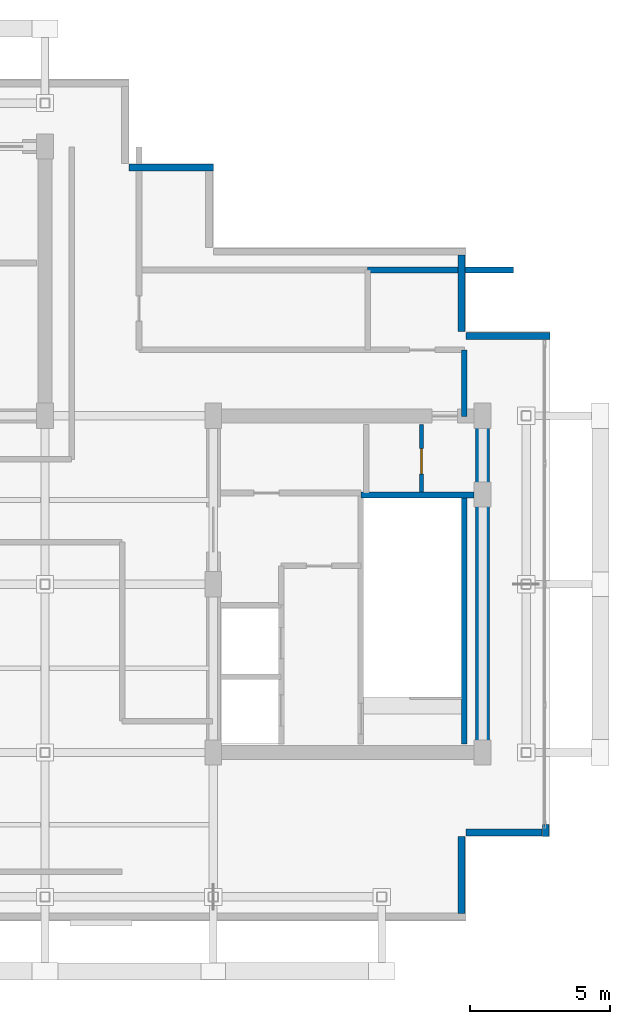
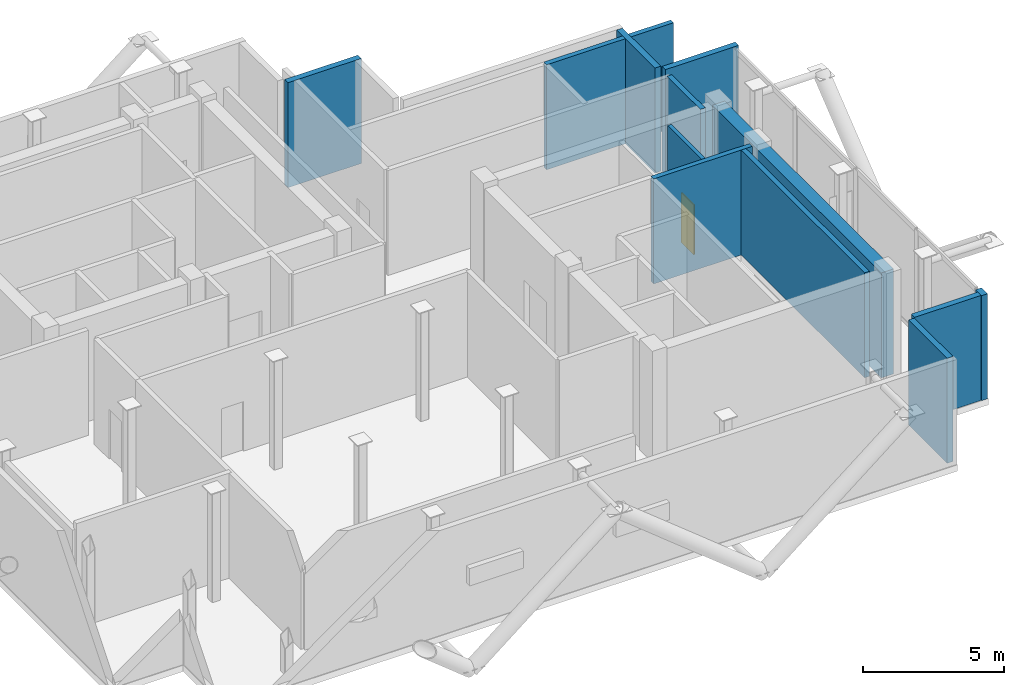
# One storey, part 5 of 6: 12 walls, 1 door, 1 opening.
"""IFC4 building model written with IfcOpenShell, lengths in metres."""

from ifc_helpers import new_model, si_unit, direction, frame, frame_2d, origin, place, context, subcontext, project, spatial, rectangle, extrude, material, layer, layer_set, type_object, element, fill, save


model = new_model("IFC4")

# Units and contexts
model_context = context("Model", 3, precision=1e-05, world=origin(), true_north=direction((0.0, 1.0)))
body_context = subcontext(model_context, "Body", "Model", "MODEL_VIEW")
ifc_project = project(units=[si_unit("LENGTHUNIT", "METRE"), si_unit("AREAUNIT", "SQUARE_METRE"), si_unit("VOLUMEUNIT", "CUBIC_METRE"), si_unit("PLANEANGLEUNIT", "RADIAN"), si_unit("MASSUNIT", "GRAM", prefix="KILO"), si_unit("THERMODYNAMICTEMPERATUREUNIT", "KELVIN"), si_unit("POWERUNIT", "WATT")], contexts=[model_context])

# Site, building, storey
site_placement = place(None, origin())
site = spatial("IfcSite", under=ifc_project, at=site_placement, CompositionType="ELEMENT")
building_placement = place(site_placement, origin())
building = spatial("IfcBuilding", under=site, at=building_placement, Name="Svarakhadi Broadcast Tower", CompositionType="ELEMENT")
storey_placement = place(building_placement, frame((0.0, 0.0, 305.699951171875)))
storey = spatial("IfcBuildingStorey", under=building, at=storey_placement, Name="L77", CompositionType="ELEMENT", Elevation=305.699951171875)

# Walls
ifc_material_1 = material(Name="Concrete C40/50 (IS 456 M50)", Category="concrete")
ifc_layer_1 = layer(ifc_material_1, 0.239990234375)
ifc_layer_set_1 = layer_set([ifc_layer_1], Name="Concrete C40/50 (IS 456 M50)")
wall_type_1 = type_object("IfcWallType", Name="Wall_Ext_240", PredefinedType="SOLIDWALL", material=ifc_layer_set_1)
wall_1_placement = place(storey_placement, frame((21.0, 26.85009765625, 0.0), z_axis=(0.0, 0.0, 1.0), x_axis=(1.0, 0.0, 0.0)))
element("IfcWall", 1, at=wall_1_placement, inside=storey, type_object=wall_type_1, Name="L77 Perimeter Bronze Spandrel Closure Wall 05", PredefinedType="SOLIDWALL", context=body_context, shape_type="SweptSolid", body=[
    extrude(rectangle(XDim=3.0, YDim=0.239990234375, at=frame_2d((1.5, 0.0))), origin(), (0.0, 0.0, 1.0), 4.550048828125),
])
wall_2_placement = place(storey_placement, frame((32.85009765625, 23.72509765625, 0.0), z_axis=(0.0, 0.0, 1.0), x_axis=(0.0, -1.0, 0.0)))
element("IfcWall", 2, at=wall_2_placement, inside=storey, type_object=wall_type_1, Name="L77 Perimeter Bronze Spandrel Closure Wall 08", PredefinedType="SOLIDWALL", context=body_context, shape_type="SweptSolid", body=[
    extrude(rectangle(XDim=2.72509765625, YDim=0.239990234375, at=frame_2d((1.362548828125, 0.0))), origin(), (0.0, 0.0, 1.0), 4.550048828125),
])
wall_3_placement = place(storey_placement, frame((33.0, 20.85009765625, 0.0), z_axis=(0.0, 0.0, 1.0), x_axis=(1.0, 0.0, 0.0)))
element("IfcWall", 3, at=wall_3_placement, inside=storey, type_object=wall_type_1, Name="L77 Perimeter Bronze Spandrel Closure Wall 09", PredefinedType="SOLIDWALL", context=body_context, shape_type="SweptSolid", body=[
    extrude(rectangle(XDim=3.0, YDim=0.239990234375, at=frame_2d((1.5, 0.0))), origin(), (0.0, 0.0, 1.0), 4.550048828125),
])
wall_4_placement = place(storey_placement, frame((35.85009765625, 3.43505859375, 0.0), z_axis=(0.0, 0.0, 1.0), x_axis=(0.0, -1.0, 0.0)))
element("IfcWall", 4, at=wall_4_placement, inside=storey, type_object=wall_type_1, Name="L77 Perimeter Bronze Spandrel Closure Wall 10", PredefinedType="SOLIDWALL", context=body_context, shape_type="SweptSolid", body=[
    extrude(rectangle(XDim=0.43505859375, YDim=0.239990234375, at=frame_2d((0.217529296875, 0.0))), origin(), (0.0, 0.0, 1.0), 4.550048828125),
])
wall_5_placement = place(storey_placement, frame((35.72509765625, 3.14990234375, 0.0), z_axis=(0.0, 0.0, 1.0), x_axis=(-1.0, 0.0, 0.0)))
element("IfcWall", 5, at=wall_5_placement, inside=storey, type_object=wall_type_1, Name="L77 Perimeter Bronze Spandrel Closure Wall 11", PredefinedType="SOLIDWALL", context=body_context, shape_type="SweptSolid", body=[
    extrude(rectangle(XDim=2.72509765625, YDim=0.239990234375, at=frame_2d((1.362548828125, 0.0))), origin(), (0.0, 0.0, 1.0), 4.550048828125),
])
wall_6_placement = place(storey_placement, frame((32.85009765625, 3.0, 0.0), z_axis=(0.0, 0.0, 1.0), x_axis=(0.0, -1.0, 0.0)))
element("IfcWall", 6, at=wall_6_placement, inside=storey, type_object=wall_type_1, Name="L77 Perimeter Bronze Spandrel Closure Wall 12", PredefinedType="SOLIDWALL", context=body_context, shape_type="SweptSolid", body=[
    extrude(rectangle(XDim=2.7451171875, YDim=0.239990234375, at=frame_2d((1.37255859375, 0.0))), origin(), (0.0, 0.0, 1.0), 4.550048828125),
])
ifc_layer_2 = layer(ifc_material_1, 0.199951171875)
ifc_layer_set_2 = layer_set([ifc_layer_2], Name="Concrete C40/50 (IS 456 M50)")
wall_type_2 = type_object("IfcWallType", Name="Wall_Fire_200", PredefinedType="SOLIDWALL", material=ifc_layer_set_2)
wall_7_placement = place(storey_placement, frame((32.949951171875, 20.35009765625, 0.0), z_axis=(0.0, 0.0, 1.0), x_axis=(0.0, -1.0, 0.0)))
element("IfcWall", 7, at=wall_7_placement, inside=storey, type_object=wall_type_2, Name="L77 Plant Service Corridor Wall", PredefinedType="SOLIDWALL", context=body_context, shape_type="SweptSolid", body=[
    extrude(rectangle(XDim=2.3701171875, YDim=0.199951171875, at=frame_2d((1.18505859375, 0.0))), origin(), (0.0, 0.0, 1.0), 4.550048828125),
])
wall_8_placement = place(storey_placement, frame((29.5, 23.199951171875, 0.0), z_axis=(0.0, 0.0, 1.0), x_axis=(1.0, 0.0, 0.0)))
element("IfcWall", 8, at=wall_8_placement, inside=storey, type_object=wall_type_2, Name="L77 Crown Harmonic Filter Plant Room Wall", PredefinedType="SOLIDWALL", context=body_context, shape_type="SweptSolid", body=[
    extrude(rectangle(XDim=5.199951171875, YDim=0.199951171875, at=frame_2d((2.60009765625, 0.0))), origin(), (0.0, 0.0, 1.0), 4.550048828125),
])

# Wall, opening, door
ifc_material_2 = material(Name="Autoclaved Aerated Concrete Blockwork 150 mm", Category="masonry")
ifc_layer_3 = layer(ifc_material_2, 0.14990234375)
ifc_layer_set_3 = layer_set([ifc_layer_3], Name="Autoclaved Aerated Concrete Blockwork 150 mm")
wall_type_3 = type_object("IfcWallType", Name="Wall_Part_150", PredefinedType="PARTITIONING", material=ifc_layer_set_3)
wall_9_placement = place(storey_placement, frame((31.419921875, 15.280029296875, 0.0), z_axis=(0.0, 0.0, 1.0), x_axis=(0.0, 1.0, 0.0)))
wall_9 = element("IfcWall", 9, at=wall_9_placement, inside=storey, type_object=wall_type_3, Name="L77 Core Service Split Wall", PredefinedType="PARTITIONING", context=body_context, shape_type="SweptSolid", body=[
    extrude(rectangle(XDim=2.419921875, YDim=0.14990234375, at=frame_2d((1.2099609375, 0.0))), origin(), (0.0, 0.0, 1.0), 4.550048828125),
])
opening_placement = place(wall_9_placement, frame((0.64990234375, 0.0, 0.0)))
opening = element("IfcOpeningElement", 10, at=opening_placement, cuts=wall_9, Name="Opening D-04", PredefinedType="OPENING", context=body_context, shape_type="SweptSolid", body=[
    extrude(rectangle(XDim=0.89990234375, YDim=2.14990234375, at=frame_2d((0.449951171875, 1.074951171875))), frame((0.0, 0.0849609375, 0.0), z_axis=(0.0, -1.0, 0.0), x_axis=(1.0, 0.0, 0.0)), (0.0, 0.0, 1.0), 0.169921875),
])
ifc_material_3 = material(Name="Galvanised Powder-Coated Fire-Rated Steel Leaf", Category="steel")
door_type = type_object("IfcDoorType", Name="Door_Fire_D04", OperationType="SINGLE_SWING_RIGHT", PredefinedType="DOOR", material=ifc_material_3)
door_placement = place(opening_placement, origin())
door = element("IfcDoor", 11, at=door_placement, inside=storey, type_object=door_type, Name="L77 Core Inner Riser Store Door", OperationType="SINGLE_SWING_RIGHT", OverallHeight=2.14990234375, OverallWidth=0.89990234375, PredefinedType="DOOR", context=body_context, shape_type="SweptSolid", body=[
    extrude(rectangle(XDim=0.89990234375, YDim=2.14990234375, at=frame_2d((0.449951171875, 1.074951171875))), frame((0.0, 0.02490234375, 0.0), z_axis=(0.0, -1.0, 0.0), x_axis=(1.0, 0.0, 0.0)), (0.0, 0.0, 1.0), 0.050048828125),
])
fill(opening, door)

# Walls
ifc_material_4 = material(Name="Concrete C50/60 (IS 456 M60)", Category="concrete")
ifc_layer_4 = layer(ifc_material_4, 0.199951171875)
ifc_layer_set_4 = layer_set([ifc_layer_4], Name="Concrete C50/60 (IS 456 M60)")
wall_type_4 = type_object("IfcWallType", Name="Wall_Shear_200", PredefinedType="SHEAR", material=ifc_layer_set_4)
wall_10_placement = place(storey_placement, frame((32.93994140625, 6.300048828125, 0.0), z_axis=(0.0, 0.0, 1.0), x_axis=(0.0, 1.0, 0.0)))
element("IfcWall", 12, at=wall_10_placement, inside=storey, type_object=wall_type_4, Name="L77 Stair ST-02 East RC Shaft Wall", PredefinedType="SHEAR", context=body_context, shape_type="SweptSolid", body=[
    extrude(rectangle(XDim=8.8798828125, YDim=0.199951171875, at=frame_2d((4.43994140625, 0.0))), origin(), (0.0, 0.0, 1.0), 4.550048828125),
])
wall_11_placement = place(storey_placement, frame((29.260009765625, 15.179931640625, 0.0), z_axis=(0.0, 0.0, 1.0), x_axis=(1.0, 0.0, 0.0)))
element("IfcWall", 13, at=wall_11_placement, inside=storey, type_object=wall_type_4, Name="L77 Stair ST-02 North RC Shaft Wall", PredefinedType="SHEAR", context=body_context, shape_type="SweptSolid", body=[
    extrude(rectangle(XDim=4.0400390625, YDim=0.199951171875, at=frame_2d((2.02001953125, 0.0))), origin(), (0.0, 0.0, 1.0), 4.550048828125),
])
ifc_layer_5 = layer(ifc_material_4, 0.5)
ifc_layer_set_5 = layer_set([ifc_layer_5], Name="Concrete C50/60 (IS 456 M60)")
wall_type_5 = type_object("IfcWallType", Name="Wall_Shear_500", PredefinedType="SHEAR", material=ifc_layer_set_5)
wall_12_placement = place(storey_placement, frame((33.60009765625, 6.0, 0.0), z_axis=(0.0, 0.0, 1.0), x_axis=(0.0, 1.0, 0.0)))
element("IfcWall", 14, at=wall_12_placement, inside=storey, type_object=wall_type_5, Name="L77 East Core East Shear Wall", PredefinedType="SHEAR", context=body_context, shape_type="SweptSolid", body=[
    extrude(rectangle(XDim=12.0, YDim=0.5, at=frame_2d((6.0, 0.0))), origin(), (0.0, 0.0, 1.0), 4.550048828125),
])

save(model, "model.ifc")
